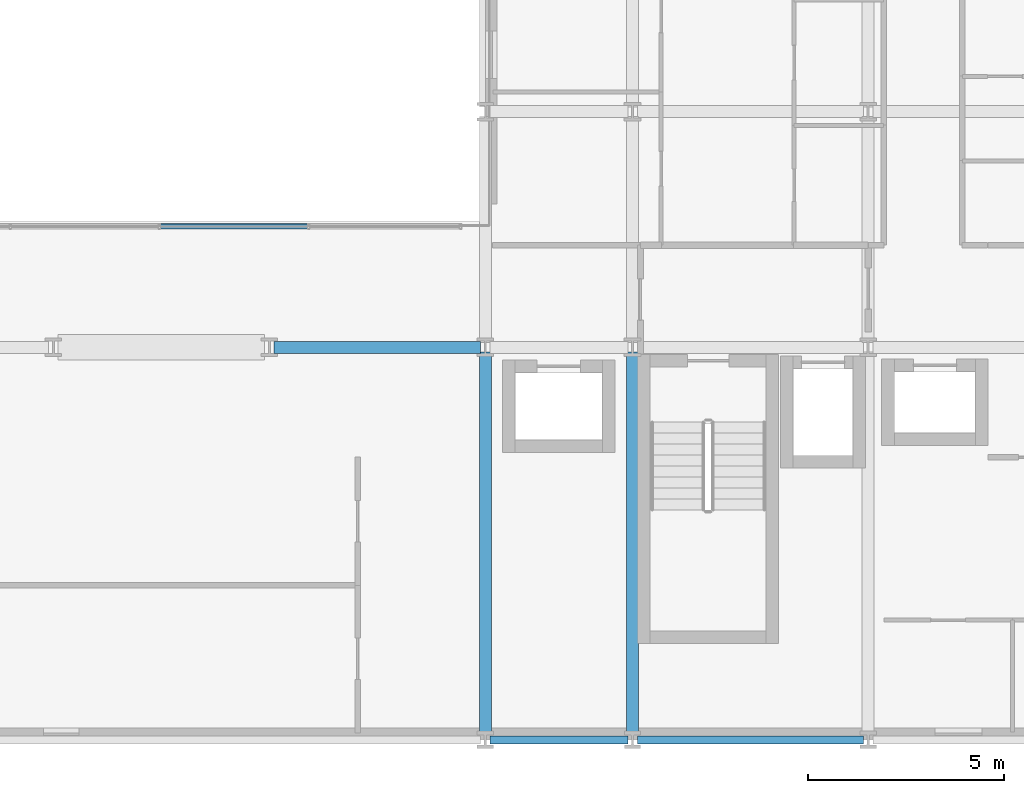
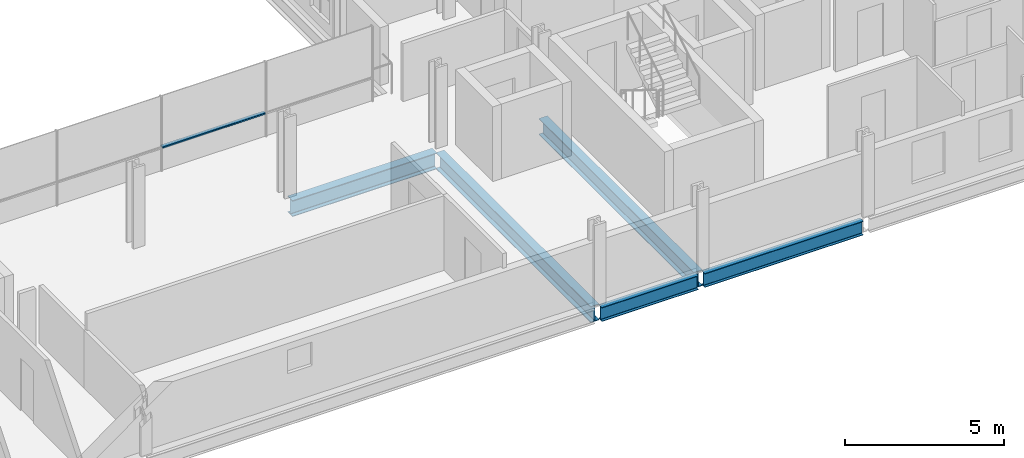
# One storey, part 12 of 38: 5 beams, 1 member, 1 element without a shape of its own.
"""IFC4 building model written with IfcOpenShell, lengths in metres."""

from ifc_helpers import new_model, si_unit, direction, frame, origin, origin_2d, place, context, subcontext, project, spatial, hollow_rectangle, i_section, extrude, material, layer, layer_set, material_profile, profile_set, type_object, element, aggregate, save


model = new_model("IFC4")

# Units and contexts
model_context = context("Model", 3, precision=1e-05, world=origin(), true_north=direction((0.0, 1.0)))
body_context = subcontext(model_context, "Body", "Model", "MODEL_VIEW")
ifc_project = project(units=[si_unit("LENGTHUNIT", "METRE"), si_unit("AREAUNIT", "SQUARE_METRE"), si_unit("VOLUMEUNIT", "CUBIC_METRE"), si_unit("PLANEANGLEUNIT", "RADIAN"), si_unit("MASSUNIT", "GRAM", prefix="KILO")], contexts=[model_context])

# Site, building, storey
site_placement = place(None, origin())
site = spatial("IfcSite", under=ifc_project, at=site_placement, CompositionType="ELEMENT")
building_placement = place(site_placement, origin())
building = spatial("IfcBuilding", under=site, at=building_placement, Name="Brevholm Reach", CompositionType="ELEMENT")
storey_placement = place(building_placement, frame((0.0, 0.0, 46.60009765625)))
storey = spatial("IfcBuildingStorey", under=building, at=storey_placement, Name="L12", CompositionType="ELEMENT", Elevation=46.60009765625)

# Beams
ifc_material_1 = material(Name="Structural Steel S355J2", Category="steel")
ifc_material_profile_1 = material_profile(ifc_material_1, i_section(OverallWidth=0.210693359375, OverallDepth=0.53955078125, WebThickness=0.01171875, FlangeThickness=0.018798828125, FilletRadius=0.0126953125, at=origin_2d()), Name="UKB 533x210x109")
ifc_profile_set_1 = profile_set([ifc_material_profile_1], Name="Structural Steel S355J2")
beam_type_1 = type_object("IfcBeamType", Name="BM-SP539", PredefinedType="SPANDREL", material=ifc_profile_set_1)
beam_1_placement = place(storey_placement, frame((38.3701171875, 0.0, -0.499755859375), z_axis=(1.0, 0.0, 0.0), x_axis=(0.0, 1.0, 0.0)))
element("IfcBeam", 1, at=beam_1_placement, inside=storey, type_object=beam_type_1, Name="L12 SP-01B Framing Beam", PredefinedType="SPANDREL", context=body_context, shape_type="SweptSolid", body=[
    extrude(i_section(OverallWidth=0.210693359375, OverallDepth=0.53955078125, WebThickness=0.01171875, FlangeThickness=0.018798828125, FilletRadius=0.0126953125, at=origin_2d()), origin(), (0.0, 0.0, 1.0), 3.509765625),
])
beam_2_placement = place(storey_placement, frame((42.1201171875, 0.0, -0.499755859375), z_axis=(1.0, 0.0, 0.0), x_axis=(0.0, 1.0, 0.0)))
element("IfcBeam", 2, at=beam_2_placement, inside=storey, type_object=beam_type_1, Name="L12 SP-01B Framing Beam", PredefinedType="SPANDREL", context=body_context, shape_type="SweptSolid", body=[
    extrude(i_section(OverallWidth=0.210693359375, OverallDepth=0.53955078125, WebThickness=0.01171875, FlangeThickness=0.018798828125, FilletRadius=0.0126953125, at=origin_2d()), origin(), (0.0, 0.0, 1.0), 5.759765625),
])
ifc_material_2 = material(Name="Structural Steel S355J2", Category="steel")
ifc_material_profile_2 = material_profile(ifc_material_2, i_section(OverallWidth=0.30712890625, OverallDepth=0.6201171875, WebThickness=0.01416015625, FlangeThickness=0.023681640625, FilletRadius=0.0166015625, at=origin_2d()), Name="UKB 610x305x179")
ifc_profile_set_2 = profile_set([ifc_material_profile_2], Name="Structural Steel S355J2")
beam_type_2 = type_object("IfcBeamType", Name="BM-UKB610H", PredefinedType="USERDEFINED", material=ifc_profile_set_2)
beam_3_placement = place(storey_placement, frame((32.8701171875, 10.0, -0.540283203125), z_axis=(1.0, 0.0, 0.0), x_axis=(0.0, 1.0, 0.0)))
element("IfcBeam", 3, at=beam_3_placement, inside=storey, type_object=beam_type_2, Name="L12 G-06 Framing Beam", ObjectType="GIRDER", PredefinedType="USERDEFINED", context=body_context, shape_type="SweptSolid", body=[
    extrude(i_section(OverallWidth=0.30712890625, OverallDepth=0.6201171875, WebThickness=0.01416015625, FlangeThickness=0.023681640625, FilletRadius=0.0166015625, at=origin_2d()), origin(), (0.0, 0.0, 1.0), 5.259765625),
])
for number, where, z_axis, x_axis, name in (
    (4, (38.25, 0.1201171875, -0.540283203125), (0.0, 1.0, 0.0), (-1.0, 0.0, 0.0), "L12 G-06 Framing Beam"),
    (5, (42.0, 0.1201171875, -0.540283203125), (0.0, 1.0, 0.0), (-1.0, 0.0, 0.0), "L12 G-06 Framing Beam"),
):
    element("IfcBeam", number, at=place(storey_placement, frame(where, z_axis=z_axis, x_axis=x_axis)), inside=storey, type_object=beam_type_2, Name=name, ObjectType="GIRDER", PredefinedType="USERDEFINED", context=body_context, shape_type="SweptSolid", body=[
        extrude(i_section(OverallWidth=0.30712890625, OverallDepth=0.6201171875, WebThickness=0.01416015625, FlangeThickness=0.023681640625, FilletRadius=0.0166015625, at=origin_2d()), origin(), (0.0, 0.0, 1.0), 9.759765625),
    ])

# Curtain wall, member
ifc_material_3 = material(Name="Dark Anodised Aluminium 6063-T6 and Solar-Control Glass", Category="aluminium")
ifc_layer = layer(ifc_material_3, 0.139892578125)
ifc_layer_set = layer_set([ifc_layer], Name="Dark Anodised Aluminium 6063-T6 and Solar-Control Glass")
curtain_wall_type = type_object("IfcCurtainWallType", Name="CW-02", PredefinedType="NOTDEFINED", material=ifc_layer_set)
curtain_wall_placement = place(storey_placement, origin())
curtain_wall = element("IfcCurtainWall", 6, at=curtain_wall_placement, inside=storey, type_object=curtain_wall_type, Name="L12 Curtain Wall CW-02", PredefinedType="NOTDEFINED")
ifc_material_4 = material(Name="Dark Anodised Aluminium 6063-T6", Category="aluminium")
ifc_material_profile_3 = material_profile(ifc_material_4, hollow_rectangle(XDim=0.06005859375, YDim=0.139892578125, WallThickness=0.0048828125, InnerFilletRadius=0.0048828125, OuterFilletRadius=0.010009765625, at=origin_2d()), Name="RHS 140x60x5")
ifc_profile_set_3 = profile_set([ifc_material_profile_3], Name="Dark Anodised Aluminium 6063-T6")
member_type = type_object("IfcMemberType", Name="CWT-140", PredefinedType="NOTDEFINED", material=ifc_profile_set_3)
member_placement = place(storey_placement, frame((29.97998046875, 13.080078125, 0.89990234375), z_axis=(1.0, 0.0, 0.0), x_axis=(0.0, 0.0, 1.0)))
member = element("IfcMember", 7, at=member_placement, type_object=member_type, Name="CT-140 Transom 3.1", ObjectType="TRANSOM", PredefinedType="USERDEFINED", context=body_context, shape_type="SweptSolid", body=[
    extrude(hollow_rectangle(XDim=0.06005859375, YDim=0.139892578125, WallThickness=0.0048828125, InnerFilletRadius=0.0048828125, OuterFilletRadius=0.010009765625, at=origin_2d()), origin(), (0.0, 0.0, 1.0), 3.739990234375),
])
aggregate(curtain_wall, [member])

save(model, "model.ifc")
